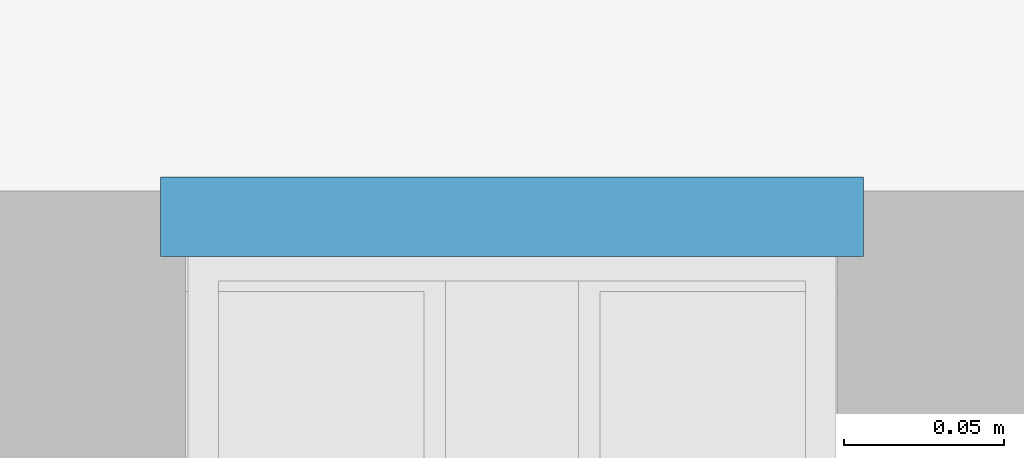
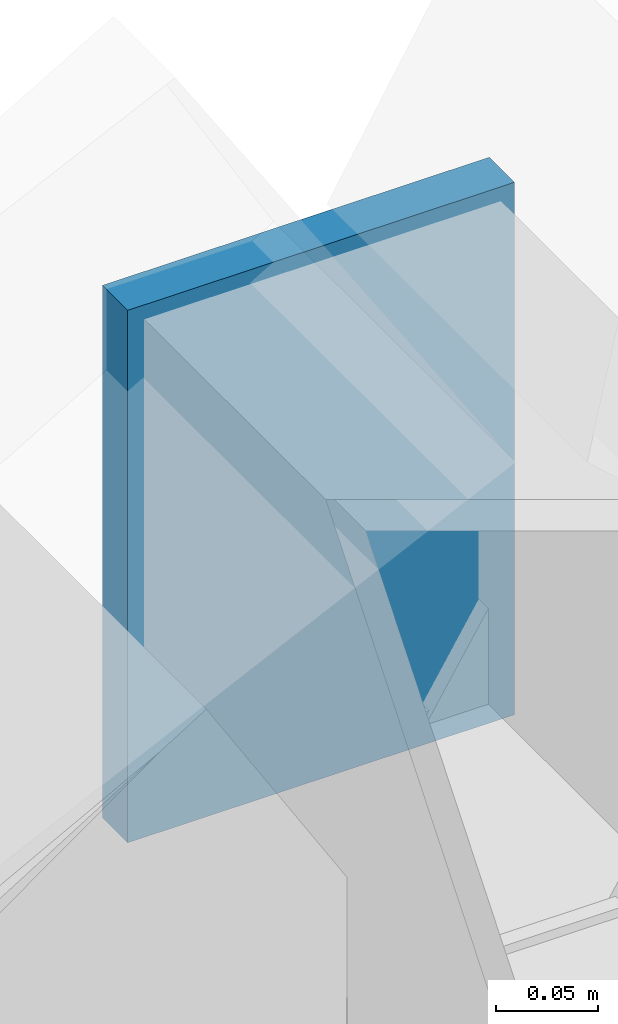
# One storey, part 9 of 19: 1 plate.
"""IFC4 building model written with IfcOpenShell, lengths in metres."""

from ifc_helpers import new_model, si_unit, direction, frame, origin, origin_2d, place, context, subcontext, project, spatial, rectangle, extrude, material, layer, layer_set, type_object, element, save


model = new_model("IFC4")

# Units and contexts
model_context = context("Model", 3, precision=1e-05, world=origin(), true_north=direction((0.0, 1.0)))
body_context = subcontext(model_context, "Body", "Model", "MODEL_VIEW")
ifc_project = project(units=[si_unit("LENGTHUNIT", "METRE"), si_unit("AREAUNIT", "SQUARE_METRE"), si_unit("VOLUMEUNIT", "CUBIC_METRE"), si_unit("PLANEANGLEUNIT", "RADIAN"), si_unit("MASSUNIT", "GRAM", prefix="KILO")], contexts=[model_context])

# Site, building, storey
site_placement = place(None, origin())
site = spatial("IfcSite", under=ifc_project, at=site_placement, CompositionType="ELEMENT")
building_placement = place(site_placement, origin())
building = spatial("IfcBuilding", under=site, at=building_placement, Name="Ochreholt Gables", CompositionType="ELEMENT")
storey_placement = place(building_placement, frame((0.0, 0.0, 76.800048828125)))
storey = spatial("IfcBuildingStorey", under=building, at=storey_placement, Name="L19", CompositionType="ELEMENT", Elevation=76.800048828125)

# Plate
ifc_material = material(Name="Steel CSA G40.21 350W", Category="steel")
ifc_layer = layer(ifc_material, 0.02490234375, Name="Steel CSA G40.21 350W")
ifc_layer_set = layer_set([ifc_layer], Name="Steel CSA G40.21 350W")
plate_type = type_object("IfcPlateType", Name="PL-ECP", PredefinedType="USERDEFINED", material=ifc_layer_set)
plate_placement = place(storey_placement, frame((6.5, 37.7919921875, 3.65478515625), z_axis=(0.0, 0.0, 1.0), x_axis=(1.0, 0.0, 0.0)))
element("IfcPlate", 1, at=plate_placement, inside=storey, type_object=plate_type, Name="L19 Gable Ridge Welded End Cap Plate GB-19W2-N", ObjectType="END CAP PLATE", PredefinedType="USERDEFINED", context=body_context, shape_type="SweptSolid", body=[
    extrude(rectangle(XDim=0.219970703125, YDim=0.02490234375, at=origin_2d()), origin(), (0.0, 0.0, 1.0), 0.320068359375),
])

save(model, "model.ifc")
